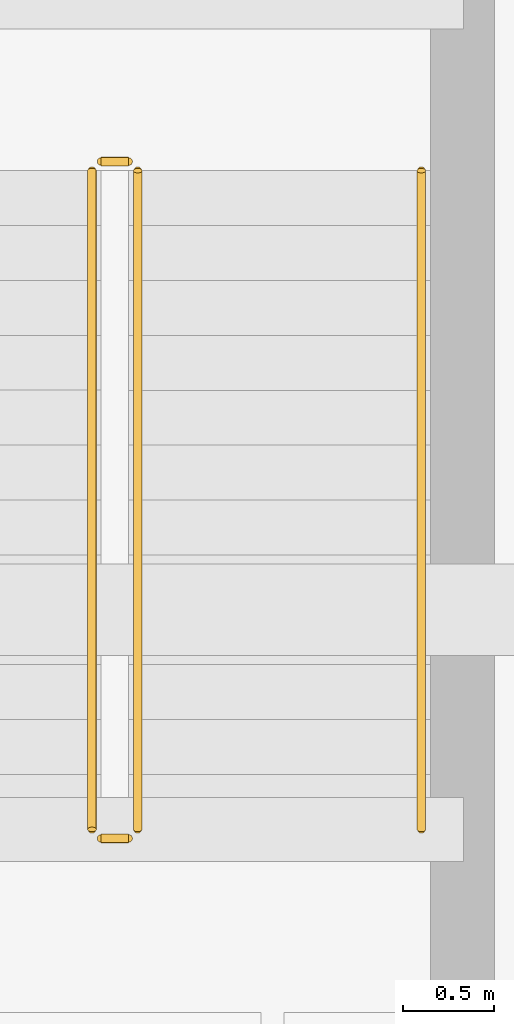
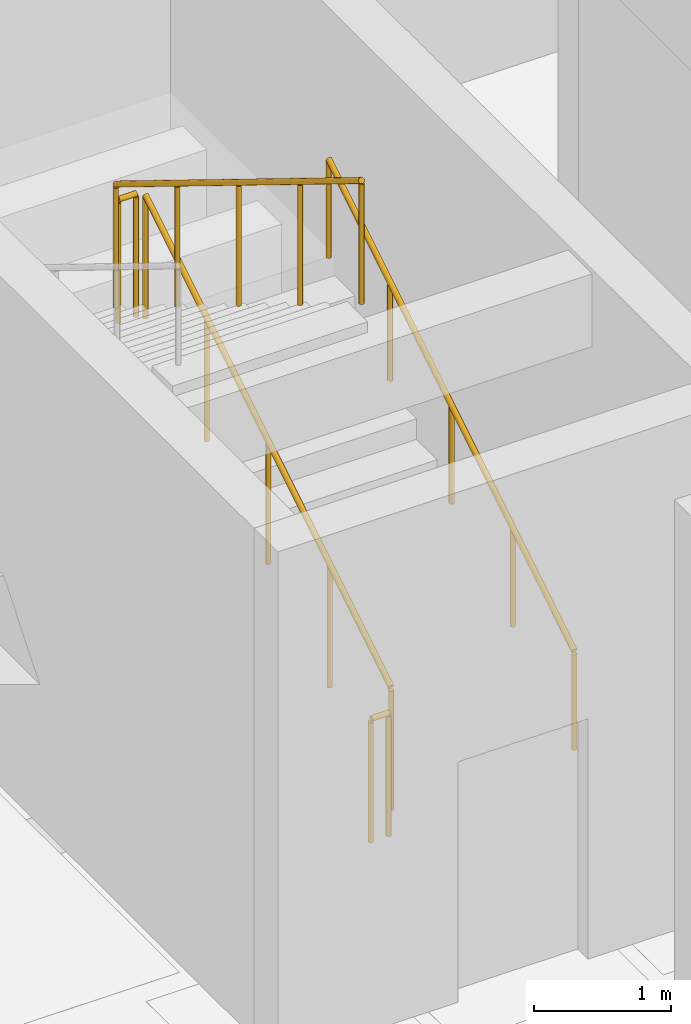
# One storey, part 39 of 46: 5 railings.
"""IFC4 building model written with IfcOpenShell, lengths in metres."""

from ifc_helpers import new_model, si_unit, direction, frame, origin, origin_2d, place, context, subcontext, project, spatial, circle, extrude, material, material_profile, profile_set, type_object, element, save


model = new_model("IFC4")

# Units and contexts
model_context = context("Model", 3, precision=1e-05, world=origin(), true_north=direction((0.0, 1.0)))
body_context = subcontext(model_context, "Body", "Model", "MODEL_VIEW")
ifc_project = project(units=[si_unit("LENGTHUNIT", "METRE"), si_unit("AREAUNIT", "SQUARE_METRE"), si_unit("VOLUMEUNIT", "CUBIC_METRE"), si_unit("PLANEANGLEUNIT", "RADIAN"), si_unit("MASSUNIT", "GRAM", prefix="KILO")], contexts=[model_context])

# Site, building, storey
site_placement = place(None, origin())
site = spatial("IfcSite", under=ifc_project, at=site_placement, CompositionType="ELEMENT")
building_placement = place(site_placement, origin())
building = spatial("IfcBuilding", under=site, at=building_placement, Name="Tazoul Stagehouse", CompositionType="ELEMENT")
storey_placement = place(building_placement, frame((0.0, 0.0, -4.800048828125)))
storey = spatial("IfcBuildingStorey", under=building, at=storey_placement, Name="B1", CompositionType="ELEMENT", Elevation=-4.800048828125)

# Railings
ifc_material = material(Name="Brushed Stainless Steel 316L", Category="steel")
ifc_material_profile_1 = material_profile(ifc_material, circle(Radius=0.02392578125, at=origin_2d()), Name="SS RAIL D48")
ifc_profile_set_1 = profile_set([ifc_material_profile_1], Name="Brushed Stainless Steel 316L")
railing_type_1 = type_object("IfcRailingType", Name="Architectural Guardrail H1120", PredefinedType="GUARDRAIL", material=ifc_profile_set_1)
railing_1_placement = place(storey_placement, frame((15.050048828125, 79.39990234375, 0.1845703125)))
element("IfcRailing", 1, at=railing_1_placement, inside=storey, type_object=railing_type_1, Name="B1 ST-B6 stair guard 1", PredefinedType="GUARDRAIL", context=body_context, shape_type="SweptSolid", body=[
    extrude(circle(Radius=0.02392578125, at=origin_2d()), frame((0.0, 0.0, 1.09619140625), z_axis=(0.0, 0.851644435552, 0.524119981868), x_axis=(-1.0, 0.0, 0.0)), (0.0, 0.0, 1.0), 4.227294921875),
    extrude(circle(Radius=0.02099609375, at=origin_2d()), origin(), (0.0, 0.0, 1.0), 1.072021484375),
    extrude(circle(Radius=0.02099609375, at=origin_2d()), frame((0.0, 0.89990234375, 0.553955078125)), (0.0, 0.0, 1.0), 1.072021484375),
    extrude(circle(Radius=0.02099609375, at=origin_2d()), frame((0.0, 1.800048828125, 1.10791015625)), (0.0, 0.0, 1.0), 1.072021484375),
    extrude(circle(Radius=0.02099609375, at=origin_2d()), frame((0.0, 2.7001953125, 1.66162109375)), (0.0, 0.0, 1.0), 1.072021484375),
    extrude(circle(Radius=0.02099609375, at=origin_2d()), frame((0.0, 3.60009765625, 2.215576171875)), (0.0, 0.0, 1.0), 1.072021484375),
])
railing_2_placement = place(storey_placement, frame((15.0, 83.050048828125, 2.400146484375)))
element("IfcRailing", 2, at=railing_2_placement, inside=storey, type_object=railing_type_1, Name="B1 ST-B6 stair guard 2", PredefinedType="GUARDRAIL", context=body_context, shape_type="SweptSolid", body=[
    extrude(circle(Radius=0.02392578125, at=origin_2d()), frame((0.0, 0.0, 1.09619140625), z_axis=(-1.0, 0.0, 0.0), x_axis=(0.0, -1.0, 0.0)), (0.0, 0.0, 1.0), 0.14990234375),
    extrude(circle(Radius=0.02099609375, at=origin_2d()), origin(), (0.0, 0.0, 1.0), 1.072021484375),
    extrude(circle(Radius=0.02099609375, at=origin_2d()), frame((-0.14990234375, 0.0, 0.0)), (0.0, 0.0, 1.0), 1.072021484375),
])
railing_3_placement = place(storey_placement, frame((14.800048828125, 83.0, 2.584716796875)))
element("IfcRailing", 3, at=railing_3_placement, inside=storey, type_object=railing_type_1, Name="B1 ST-B6 stair guard 3", PredefinedType="GUARDRAIL", context=body_context, shape_type="SweptSolid", body=[
    extrude(circle(Radius=0.02392578125, at=origin_2d()), frame((0.0, 0.0, 1.09619140625), z_axis=(0.0, -0.85167021472, 0.524078090897), x_axis=(1.0, 0.0, 0.0)), (0.0, 0.0, 1.0), 4.22705078125),
    extrude(circle(Radius=0.02099609375, at=origin_2d()), origin(), (0.0, 0.0, 1.0), 1.072021484375),
    extrude(circle(Radius=0.02099609375, at=origin_2d()), frame((0.0, -0.89990234375, 0.5537109375)), (0.0, 0.0, 1.0), 1.072021484375),
    extrude(circle(Radius=0.02099609375, at=origin_2d()), frame((0.0, -1.800048828125, 1.107666015625)), (0.0, 0.0, 1.0), 1.072021484375),
    extrude(circle(Radius=0.02099609375, at=origin_2d()), frame((0.0, -2.7001953125, 1.66162109375)), (0.0, 0.0, 1.0), 1.072021484375),
    extrude(circle(Radius=0.02099609375, at=origin_2d()), frame((0.0, -3.60009765625, 2.21533203125)), (0.0, 0.0, 1.0), 1.072021484375),
])
railing_4_placement = place(storey_placement, frame((15.0, 79.35009765625, 0.0)))
element("IfcRailing", 4, at=railing_4_placement, inside=storey, type_object=railing_type_1, Name="B1 ST-B6 stair guard 4", PredefinedType="GUARDRAIL", context=body_context, shape_type="SweptSolid", body=[
    extrude(circle(Radius=0.02392578125, at=origin_2d()), frame((0.0, 0.0, 1.09619140625), z_axis=(-1.0, 0.0, 0.0), x_axis=(0.0, -1.0, 0.0)), (0.0, 0.0, 1.0), 0.14990234375),
    extrude(circle(Radius=0.02099609375, at=origin_2d()), origin(), (0.0, 0.0, 1.0), 1.072021484375),
    extrude(circle(Radius=0.02099609375, at=origin_2d()), frame((-0.14990234375, 0.0, 0.0)), (0.0, 0.0, 1.0), 1.072021484375),
])
ifc_material_profile_2 = material_profile(ifc_material, circle(Radius=0.02099609375, at=origin_2d()), Name="SS HANDRAIL D42")
ifc_profile_set_2 = profile_set([ifc_material_profile_2], Name="Brushed Stainless Steel 316L")
railing_type_2 = type_object("IfcRailingType", Name="Continuous Stair Handrail H900", PredefinedType="HANDRAIL", material=ifc_profile_set_2)
railing_5_placement = place(storey_placement, frame((16.60009765625, 79.39990234375, 0.1845703125)))
element("IfcRailing", 5, at=railing_5_placement, inside=storey, type_object=railing_type_2, Name="B1 ST-B6 stair handrail 1", PredefinedType="HANDRAIL", context=body_context, shape_type="SweptSolid", body=[
    extrude(circle(Radius=0.02392578125, at=origin_2d()), frame((0.0, 0.0, 0.8759765625), z_axis=(0.0, 0.851644435552, 0.524119981868), x_axis=(-1.0, 0.0, 0.0)), (0.0, 0.0, 1.0), 4.227294921875),
    extrude(circle(Radius=0.02099609375, at=origin_2d()), origin(), (0.0, 0.0, 1.0), 0.851806640625),
    extrude(circle(Radius=0.02099609375, at=origin_2d()), frame((0.0, 0.89990234375, 0.553955078125)), (0.0, 0.0, 1.0), 0.851806640625),
    extrude(circle(Radius=0.02099609375, at=origin_2d()), frame((0.0, 1.800048828125, 1.10791015625)), (0.0, 0.0, 1.0), 0.851806640625),
    extrude(circle(Radius=0.02099609375, at=origin_2d()), frame((0.0, 2.7001953125, 1.66162109375)), (0.0, 0.0, 1.0), 0.851806640625),
    extrude(circle(Radius=0.02099609375, at=origin_2d()), frame((0.0, 3.60009765625, 2.215576171875)), (0.0, 0.0, 1.0), 0.851806640625),
])

save(model, "model.ifc")
